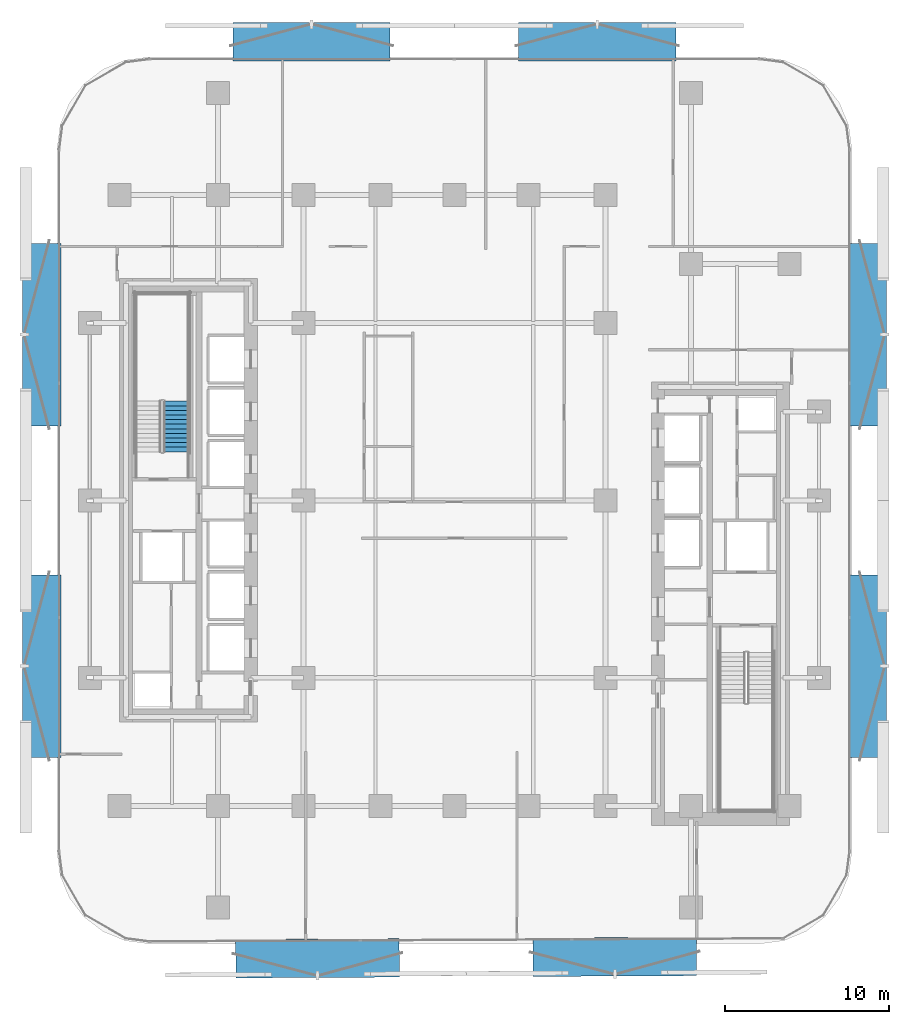
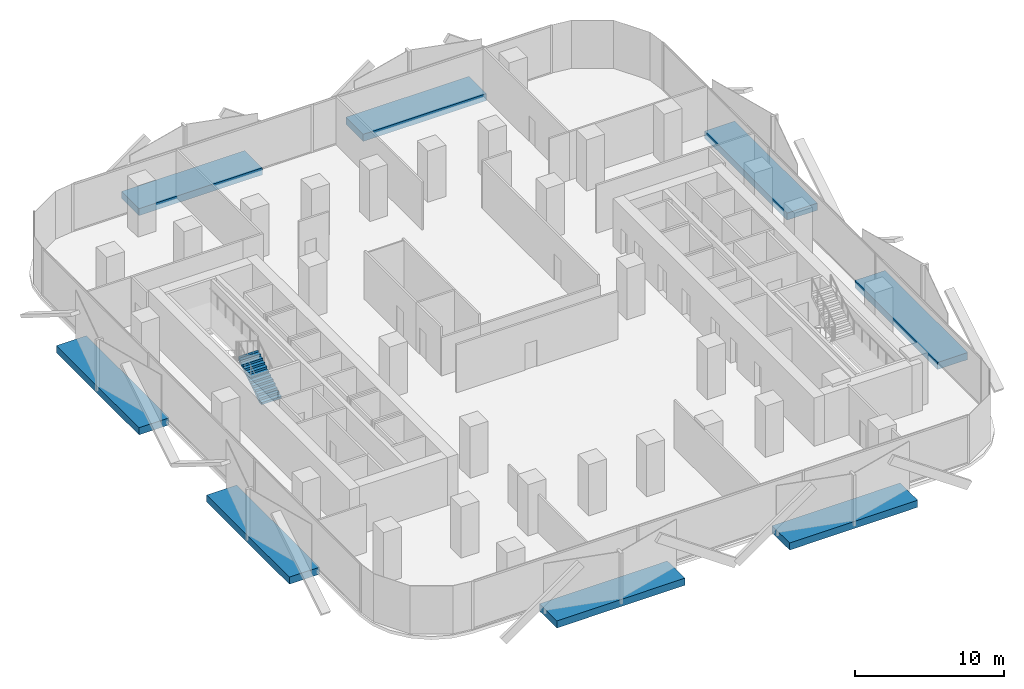
# One storey, part 6 of 15: 8 discrete accessories, 1 stair flight, 1 element without a shape of its own.
"""IFC4 building model written with IfcOpenShell, lengths in metres."""

from ifc_helpers import new_model, si_unit, direction, frame, origin, origin_2d, place, context, subcontext, project, spatial, polyline, rectangle, outline, extrude, material, layer, layer_set, type_object, element, aggregate, save


model = new_model("IFC4")

# Units and contexts
model_context = context("Model", 3, precision=1e-05, world=origin(), true_north=direction((0.0, 1.0)))
body_context = subcontext(model_context, "Body", "Model", "MODEL_VIEW")
ifc_project = project(units=[si_unit("LENGTHUNIT", "METRE"), si_unit("AREAUNIT", "SQUARE_METRE"), si_unit("VOLUMEUNIT", "CUBIC_METRE"), si_unit("PLANEANGLEUNIT", "RADIAN"), si_unit("MASSUNIT", "GRAM", prefix="KILO")], contexts=[model_context])

# Site, building, storey
site_placement = place(None, origin())
site = spatial("IfcSite", under=ifc_project, at=site_placement, CompositionType="ELEMENT")
building_placement = place(site_placement, origin())
building = spatial("IfcBuilding", under=site, at=building_placement, Name="Khairoan Windgate Tower", CompositionType="ELEMENT")
storey_placement = place(building_placement, frame((0.0, 0.0, 51.199951171875)))
storey = spatial("IfcBuildingStorey", under=building, at=storey_placement, Name="L12", CompositionType="ELEMENT", Elevation=51.199951171875)

# Stair, stair flight
ifc_material_1 = material(Name="Concrete C40/50", Category="concrete")
stair_type = type_object("IfcStairType", Name="Tower Core Dog-Leg Stair ST-T1 1560mm", PredefinedType="HALF_TURN_STAIR", material=ifc_material_1)
stair_placement = place(storey_placement, origin())
stair = element("IfcStair", 1, at=stair_placement, inside=storey, type_object=stair_type, Name="L12 Stair ST2", PredefinedType="HALF_TURN_STAIR")
ifc_material_2 = material(Name="Concrete C40/50", Category="concrete")
ifc_layer = layer(ifc_material_2, 0.14990234375, Name="Concrete C40/50")
ifc_layer_set = layer_set([ifc_layer], Name="Concrete C40/50")
stair_flight_type = type_object("IfcStairFlightType", Name="Tower Core Stair Flight STF-1560", PredefinedType="STRAIGHT", material=ifc_layer_set)
stair_flight_placement = place(storey_placement, frame((-16.929931640625, 2.9599609375, 0.0), z_axis=(0.0, 0.0, 1.0), x_axis=(0.0, 1.0, 0.0)))
stair_flight = element("IfcStairFlight", 2, at=stair_flight_placement, type_object=stair_flight_type, Name="ST2 flight 1", NumberOfRisers=12, NumberOfTreads=11, PredefinedType="STRAIGHT", RiserHeight=0.175, TreadLength=0.28, context=body_context, shape_type="SweptSolid", body=[
    extrude(outline(polyline([(-0.00390625, 0.0), (-0.00390625, 0.175048828125), (0.0, 0.175048828125), (0.280029296875, 0.175048828125), (0.280029296875, 0.35009765625), (0.56005859375, 0.35009765625), (0.56005859375, 0.52490234375), (0.840087890625, 0.52490234375), (0.840087890625, 0.699951171875), (1.1201171875, 0.699951171875), (1.1201171875, 0.875), (1.39990234375, 0.875), (1.39990234375, 1.050048828125), (1.679931640625, 1.050048828125), (1.679931640625, 1.22509765625), (1.9599609375, 1.22509765625), (1.9599609375, 1.39990234375), (2.239990234375, 1.39990234375), (2.239990234375, 1.574951171875), (2.52001953125, 1.574951171875), (2.52001953125, 1.75), (2.800048828125, 1.75), (2.800048828125, 1.925048828125), (3.080078125, 1.925048828125), (3.080078125, 2.10009765625), (3.083984375, 2.10009765625), (3.083984375, 1.748291015625), (0.28271484375, 0.0), (-0.00390625, 0.0)])), frame((0.0, 0.780029296875, 0.0), z_axis=(0.0, -1.0, 0.0), x_axis=(1.0, 0.0, 0.0)), (0.0, 0.0, 1.0), 1.56005859375),
])
aggregate(stair, [stair_flight])

# Discrete accessories
ifc_material_3 = material(Name="Steel S355", Category="steel")
discrete_accessory_type = type_object("IfcDiscreteAccessoryType", Name="Solar Screen Outrigger Slab Bracket SSB-1", PredefinedType="BRACKET", material=ifc_material_3)
for number, where, z_axis, x_axis, name in (
    (3, (9.76708984375, -27.79248046875, -0.419921875), (0.0, 0.0, 1.0), (-0.999988059021, -0.004886902454, 0.0), "L12 Solar Screen Outrigger Bracket 49"),
    (4, (-8.334716796875, -27.88037109375, -0.419921875), (0.0, 0.0, 1.0), (-0.999988059021, -0.004886902454, 0.0), "L12 Solar Screen Outrigger Bracket 50"),
):
    element("IfcDiscreteAccessory", number, at=place(storey_placement, frame(where, z_axis=z_axis, x_axis=x_axis)), inside=storey, type_object=discrete_accessory_type, Name=name, PredefinedType="BRACKET", context=body_context, shape_type="SweptSolid", body=[
        extrude(rectangle(XDim=9.9560546875, YDim=2.340087890625, at=origin_2d()), origin(), (0.0, 0.0, 1.0), 0.580078125),
    ])
for number, where, z_axis, x_axis, name in (
    (5, (-25.1298828125, -10.095458984375, -0.419921875), (0.0, 0.0, 1.0), (0.0, 1.0, 0.0), "L12 Solar Screen Outrigger Bracket 51"),
    (6, (-25.1298828125, 10.095458984375, -0.419921875), (0.0, 0.0, 1.0), (0.0, 1.0, 0.0), "L12 Solar Screen Outrigger Bracket 52"),
):
    element("IfcDiscreteAccessory", number, at=place(storey_placement, frame(where, z_axis=z_axis, x_axis=x_axis)), inside=storey, type_object=discrete_accessory_type, Name=name, PredefinedType="BRACKET", context=body_context, shape_type="SweptSolid", body=[
        extrude(rectangle(XDim=11.10498046875, YDim=2.340087890625, at=origin_2d()), origin(), (0.0, 0.0, 1.0), 0.580078125),
    ])
for number, where, z_axis, x_axis, name in (
    (7, (-8.6953125, 27.929931640625, -0.419921875), (0.0, 0.0, 1.0), (1.0, 0.0, 0.0), "L12 Solar Screen Outrigger Bracket 53"),
    (8, (8.6953125, 27.929931640625, -0.419921875), (0.0, 0.0, 1.0), (1.0, 0.0, 0.0), "L12 Solar Screen Outrigger Bracket 54"),
):
    element("IfcDiscreteAccessory", number, at=place(storey_placement, frame(where, z_axis=z_axis, x_axis=x_axis)), inside=storey, type_object=discrete_accessory_type, Name=name, PredefinedType="BRACKET", context=body_context, shape_type="SweptSolid", body=[
        extrude(rectangle(XDim=9.56494140625, YDim=2.340087890625, at=origin_2d()), origin(), (0.0, 0.0, 1.0), 0.580078125),
    ])
for number, where, z_axis, x_axis, name in (
    (9, (25.1298828125, 10.095458984375, -0.419921875), (0.0, 0.0, 1.0), (0.0, -1.0, 0.0), "L12 Solar Screen Outrigger Bracket 55"),
    (10, (25.1298828125, -10.095458984375, -0.419921875), (0.0, 0.0, 1.0), (0.0, -1.0, 0.0), "L12 Solar Screen Outrigger Bracket 56"),
):
    element("IfcDiscreteAccessory", number, at=place(storey_placement, frame(where, z_axis=z_axis, x_axis=x_axis)), inside=storey, type_object=discrete_accessory_type, Name=name, PredefinedType="BRACKET", context=body_context, shape_type="SweptSolid", body=[
        extrude(rectangle(XDim=11.10498046875, YDim=2.340087890625, at=origin_2d()), origin(), (0.0, 0.0, 1.0), 0.580078125),
    ])

save(model, "model.ifc")
